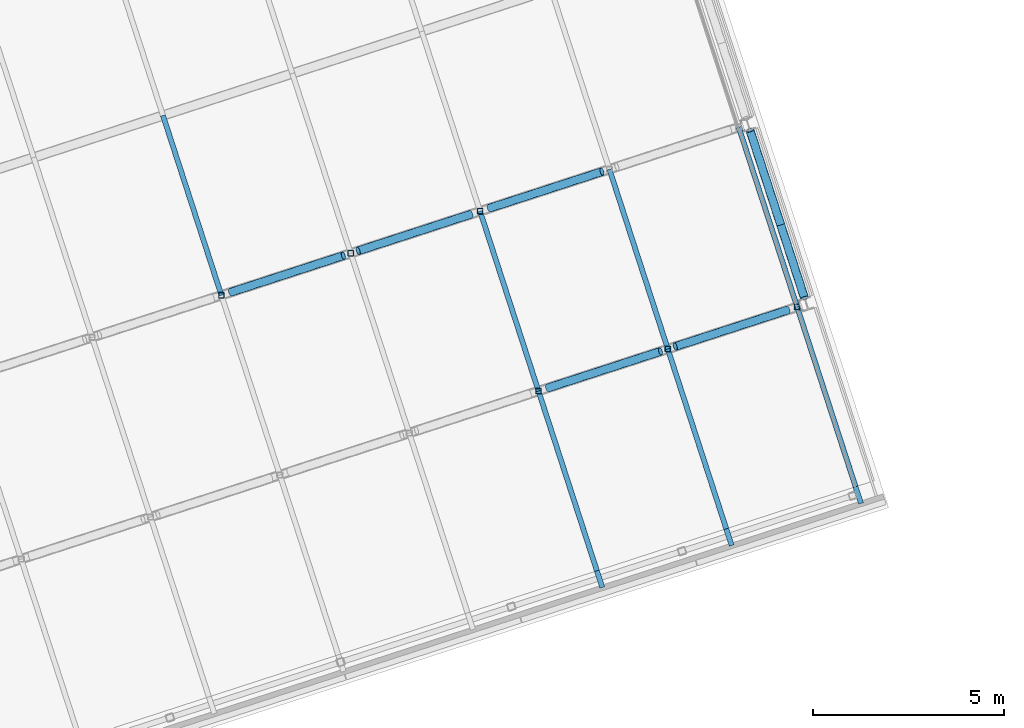
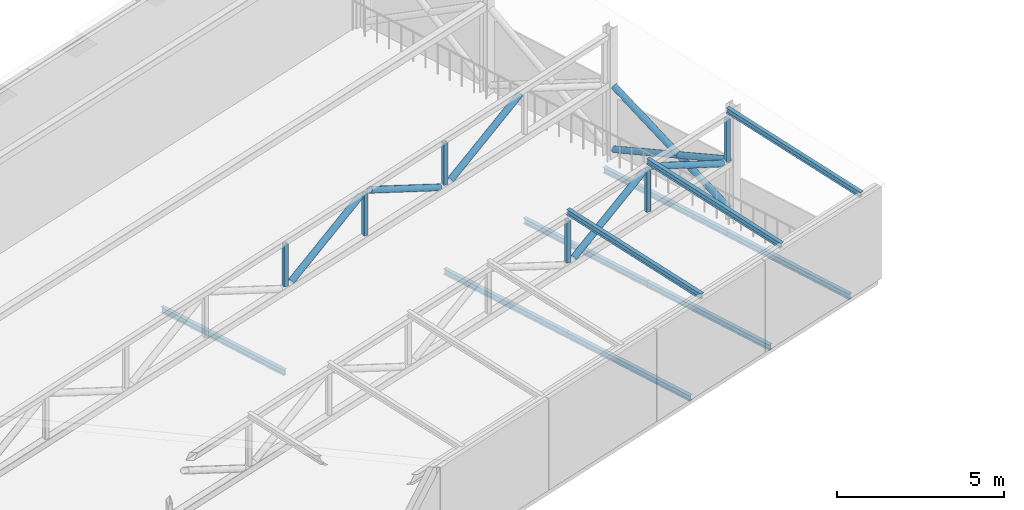
# One storey, part 9 of 49: 23 members.
"""IFC4 building model written with IfcOpenShell, lengths in metres."""

import ifcopenshell
import ifcopenshell.guid

model = None  # the IFC model being written
_history = None  # IfcOwnerHistory: only IFC2X3 demands one
_inside = {}  # id of a spatial element -> (the spatial element, [elements in it])
_under = {}  # id of a project, library or spatial element -> (it, [spatial elements below it])
_declared = {}  # id of a project -> (the project, [libraries it declares])
_typed = {}  # id of a type object -> (the type object, [elements of that type])
_made_of = {}  # id of a material, layer set ... -> (it, [elements and type objects made of it])


def new_model(schema):
    """Start an empty IFC model of exactly this schema.

    Asked for "IFC4X3", IfcOpenShell would pick the latest addendum, in which some entities
    have other attributes; the version numbers below select the first issue.
    IFC2X3 requires an IfcOwnerHistory on every rooted entity: one is made here for all.
    """
    global model, _history
    if schema == "IFC4X3":
        model = ifcopenshell.file(schema_version=(4, 3, 0, 0))
    else:
        model = ifcopenshell.file(schema=schema)
    _inside.clear()
    _under.clear()
    _declared.clear()
    _typed.clear()
    _made_of.clear()
    _history = None
    if model.schema == "IFC2X3":
        org = make("IfcOrganization", Name="unknown")
        user = make(
            "IfcPersonAndOrganization",
            ThePerson=make("IfcPerson", FamilyName="unknown"),
            TheOrganization=org,
        )
        app = make(
            "IfcApplication",
            ApplicationDeveloper=org,
            Version="unknown",
            ApplicationFullName="unknown",
            ApplicationIdentifier="unknown",
        )
        _history = make(
            "IfcOwnerHistory",
            OwningUser=user,
            OwningApplication=app,
            ChangeAction="ADDED",
            CreationDate=0,
        )
    return model


def make(cls, **values):
    """One entity of the class cls with the attributes given. An attribute that is None is left unset."""
    return model.create_entity(
        cls, **{name: value for name, value in values.items() if value is not None}
    )


def rooted(cls, **values):
    """An entity with a GlobalId (a new one), such as an element, a storey or a relation."""
    return make(cls, GlobalId=ifcopenshell.guid.new(), OwnerHistory=_history, **values)


def si_unit(unit_type, name, prefix=None):
    """IfcSIUnit, for example si_unit("LENGTHUNIT", "METRE", prefix="MILLI")."""
    return make("IfcSIUnit", UnitType=unit_type, Prefix=prefix, Name=name)


def assignment(units):
    """IfcUnitAssignment: the units of a project."""
    return None if units is None else make("IfcUnitAssignment", Units=units)


def point(xyz):
    """IfcCartesianPoint."""
    return None if xyz is None else make("IfcCartesianPoint", Coordinates=xyz)


def direction(xyz):
    """IfcDirection."""
    return None if xyz is None else make("IfcDirection", DirectionRatios=xyz)


def frame(location, z_axis=None, x_axis=None):
    """IfcAxis2Placement3D, a coordinate frame: its origin and axes. An axis left out is left unset."""
    return make(
        "IfcAxis2Placement3D",
        Location=point(location),
        Axis=direction(z_axis),
        RefDirection=direction(x_axis),
    )


def frame_2d(location, x_axis=None):
    """IfcAxis2Placement2D, a coordinate frame in the plane: its origin and x axis."""
    return make(
        "IfcAxis2Placement2D", Location=point(location), RefDirection=direction(x_axis)
    )


def origin():
    """The frame at (0, 0, 0) with its axes left unset."""
    return frame((0.0, 0.0, 0.0))


def origin_2d():
    """The frame at (0, 0) in the plane with its x axis left unset."""
    return frame_2d((0.0, 0.0))


def place(relative_to, where):
    """IfcLocalPlacement: puts the frame where relative to a parent placement (None: the world)."""
    return make(
        "IfcLocalPlacement", PlacementRelTo=relative_to, RelativePlacement=where
    )


def context(
    kind, dimensions, precision=None, world=None, true_north=None, identifier=None
):
    """IfcGeometricRepresentationContext, for example the 3D "Model" context."""
    return make(
        "IfcGeometricRepresentationContext",
        ContextIdentifier=identifier,
        ContextType=kind,
        CoordinateSpaceDimension=dimensions,
        Precision=precision,
        WorldCoordinateSystem=world,
        TrueNorth=true_north,
    )


def subcontext(parent, identifier, kind, view, scale=None):
    """IfcGeometricRepresentationSubContext, for example "Body" below "Model"."""
    return make(
        "IfcGeometricRepresentationSubContext",
        ContextIdentifier=identifier,
        ContextType=kind,
        ParentContext=parent,
        TargetScale=scale,
        TargetView=view,
    )


def project(units=None, contexts=None):
    """IfcProject with its units and contexts."""
    return rooted(
        "IfcProject",
        Name="project",
        RepresentationContexts=contexts,
        UnitsInContext=assignment(units),
    )


def spatial(cls, under=None, at=None, **own):
    """A site, building, storey or space (cls), placed at a placement, below another one or the project."""
    s = rooted(cls, ObjectPlacement=at, **own)
    if under is not None:
        _under.setdefault(under.id(), (under, []))[1].append(s)
    return s


def profile(cls, at=None, kind="AREA", **sizes):
    """A parametric profile (cls). Its sizes go by their IFC names, for example OverallWidth=200.0."""
    return make(cls, ProfileType=kind, Position=at, **sizes)


def hollow_rectangle(**sizes):
    """IfcRectangleHollowProfileDef."""
    return profile("IfcRectangleHollowProfileDef", **sizes)


def hollow_circle(**sizes):
    """IfcCircleHollowProfileDef."""
    return profile("IfcCircleHollowProfileDef", **sizes)


def i_section(**sizes):
    """IfcIShapeProfileDef."""
    return profile("IfcIShapeProfileDef", **sizes)


def extrude(swept, where, along, depth):
    """IfcExtrudedAreaSolid: the profile swept, set in the frame where, extruded along a direction by depth."""
    return make(
        "IfcExtrudedAreaSolid",
        SweptArea=swept,
        Position=where,
        ExtrudedDirection=direction(along),
        Depth=depth,
    )


def shape(context_of_items, identifier, shape_type, items):
    """IfcShapeRepresentation: the items that make up one representation, for example the "Body"."""
    return make(
        "IfcShapeRepresentation",
        ContextOfItems=context_of_items,
        RepresentationIdentifier=identifier,
        RepresentationType=shape_type,
        Items=items,
    )


def material(Name=None, Category=None):
    """IfcMaterial."""
    return make("IfcMaterial", Name=Name, Category=Category)


def material_profile(
    of_material, cross_section, Name=None, Category=None, Priority=None
):
    """IfcMaterialProfile: a cross section and its material."""
    return make(
        "IfcMaterialProfile",
        Name=Name,
        Material=of_material,
        Profile=cross_section,
        Priority=Priority,
        Category=Category,
    )


def profile_set(profiles, Name=None, composite=None):
    """IfcMaterialProfileSet."""
    return make(
        "IfcMaterialProfileSet",
        Name=Name,
        MaterialProfiles=profiles,
        CompositeProfile=composite,
    )


def made_of(thing, what):
    """Note that an element or type object is made of a material, layer set ...; save() writes the relation."""
    if what is not None:
        _made_of.setdefault(what.id(), (what, []))[1].append(thing)
    return thing


def type_object(cls, material=None, **own):
    """A type object (cls), such as IfcWallType, which elements share."""
    return made_of(rooted(cls, **own), material)


def element(
    cls,
    number,
    at=None,
    inside=None,
    cuts=None,
    type_object=None,
    material=None,
    context=None,
    identifier="Body",
    shape_type=None,
    held_by="IfcProductDefinitionShape",
    body=None,
    shapes=None,
    **own,
):
    """One element of the class cls, such as IfcWall. Its Tag is "e" and its number.

    at: its placement. inside: the storey or other place that contains it. cuts: it is an
    opening in that element (IfcRelVoidsElement). A single representation is given by context,
    identifier, shape_type and body (its items); several are given by shapes. held_by: the class
    of the entity that holds the representations. save() writes the other relations.
    """
    e = rooted(cls, Tag="e%d" % number, ObjectPlacement=at, **own)
    if body is not None:
        shapes = [shape(context, identifier, shape_type, body)]
    if shapes is not None:
        e.Representation = make(held_by, Representations=shapes)
    if inside is not None:
        _inside.setdefault(inside.id(), (inside, []))[1].append(e)
    if cuts is not None:
        rooted(
            "IfcRelVoidsElement", RelatingBuildingElement=cuts, RelatedOpeningElement=e
        )
    if type_object is not None:
        _typed.setdefault(type_object.id(), (type_object, []))[1].append(e)
    return made_of(e, material)


def aggregate(whole, parts):
    """IfcRelAggregates: a whole, such as a stair, and the parts it consists of."""
    return rooted("IfcRelAggregates", RelatingObject=whole, RelatedObjects=parts)


def save(model, path):
    """Write the relations noted so far, then the file.

    IfcRelAggregates (storeys below a building ...), IfcRelContainedInSpatialStructure (elements
    in a storey), IfcRelDefinesByType, IfcRelAssociatesMaterial and IfcRelDeclares: one each for
    every whole, place, type object, material and project.
    """
    for whole, parts in _under.values():
        aggregate(whole, parts)
    for where, things in _inside.values():
        rooted(
            "IfcRelContainedInSpatialStructure",
            RelatedElements=things,
            RelatingStructure=where,
        )
    for kind, things in _typed.values():
        rooted("IfcRelDefinesByType", RelatedObjects=things, RelatingType=kind)
    for what, things in _made_of.values():
        rooted("IfcRelAssociatesMaterial", RelatedObjects=things, RelatingMaterial=what)
    for by, libraries in _declared.values():
        rooted("IfcRelDeclares", RelatingContext=by, RelatedDefinitions=libraries)
    model.write(path)


model = new_model("IFC4")

# Units and contexts
model_context = context("Model", 3, precision=1e-05, world=origin(), true_north=direction((0.0, 1.0)))
body_context = subcontext(model_context, "Body", "Model", "MODEL_VIEW")
ifc_project = project(units=[si_unit("LENGTHUNIT", "METRE"), si_unit("AREAUNIT", "SQUARE_METRE"), si_unit("VOLUMEUNIT", "CUBIC_METRE"), si_unit("PLANEANGLEUNIT", "RADIAN"), si_unit("MASSUNIT", "GRAM", prefix="KILO")], contexts=[model_context])

# Site, building, storey
site_placement = place(None, origin())
site = spatial("IfcSite", under=ifc_project, at=site_placement, CompositionType="ELEMENT")
building_placement = place(site_placement, origin())
building = spatial("IfcBuilding", under=site, at=building_placement, Name="Tuart Plaza Theatre", CompositionType="ELEMENT")
storey_placement = place(building_placement, frame((0.0, 0.0, 29.5)))
storey = spatial("IfcBuildingStorey", under=building, at=storey_placement, Name="L07", CompositionType="ELEMENT", Elevation=29.5)

# Members
ifc_material_1 = material(Name="Steel Grade C350L0", Category="steel")
ifc_material_profile_1 = material_profile(ifc_material_1, hollow_circle(Radius=0.109619140625, WallThickness=0.00830078125, at=origin_2d()), Name="219.1x8.2 CHS")
ifc_profile_set_1 = profile_set([ifc_material_profile_1], Name="Steel Grade C350L0")
member_type_1 = type_object("IfcMemberType", Name="MEMBER Brace 219.1x8.2 CHS", PredefinedType="BRACE", material=ifc_profile_set_1)
for number, where, z_axis, x_axis, name in (
    (1, (60.56201171875, 80.287841796875, 2.300048828125), (0.853572626097, 0.277345791654, 0.441013700273), (-0.30902025289, 0.951055457533, 0.0), "BR69"),
    (2, (63.900390625, 81.37255859375, 3.824951171875), (0.853572626097, 0.277345791654, -0.441013700273), (-0.30902025289, 0.951055457533, 0.0), "BR70"),
):
    element("IfcMember", number, at=place(storey_placement, frame(where, z_axis=z_axis, x_axis=x_axis)), inside=storey, type_object=member_type_1, Name=name, PredefinedType="BRACE", context=body_context, shape_type="SweptSolid", body=[
        extrude(hollow_circle(Radius=0.109619140625, WallThickness=0.00830078125, at=origin_2d()), origin(), (0.0, 0.0, 1.0), 3.457763671875),
    ])
member_1_placement = place(storey_placement, frame((52.2587890625, 82.794677734375, 2.8203125), z_axis=(0.853553460549, 0.277362507697, 0.441040280823), x_axis=(-0.309043375616, 0.951047944106, 0.0)))
element("IfcMember", 3, at=member_1_placement, inside=storey, type_object=member_type_1, Name="BR75", PredefinedType="BRACE", context=body_context, shape_type="SweptSolid", body=[
    extrude(hollow_circle(Radius=0.109619140625, WallThickness=0.00830078125, at=origin_2d()), origin(), (0.0, 0.0, 1.0), 3.45751953125),
])
member_2_placement = place(storey_placement, frame((55.59716796875, 83.87939453125, 4.34521484375), z_axis=(0.853572626097, 0.277345791654, -0.441013700273), x_axis=(-0.30902025289, 0.951055457533, 0.0)))
element("IfcMember", 4, at=member_2_placement, inside=storey, type_object=member_type_1, Name="BR76", PredefinedType="BRACE", context=body_context, shape_type="SweptSolid", body=[
    extrude(hollow_circle(Radius=0.109619140625, WallThickness=0.00830078125, at=origin_2d()), origin(), (0.0, 0.0, 1.0), 3.457763671875),
])
member_3_placement = place(storey_placement, frame((59.032470703125, 84.99560546875, 2.8203125), z_axis=(0.853570175774, 0.277297326296, 0.44104891776), x_axis=(-0.308972210261, 0.95107106637, 0.0)))
element("IfcMember", 5, at=member_3_placement, inside=storey, type_object=member_type_1, Name="BR77", PredefinedType="BRACE", context=body_context, shape_type="SweptSolid", body=[
    extrude(hollow_circle(Radius=0.109619140625, WallThickness=0.00830078125, at=origin_2d()), origin(), (0.0, 0.0, 1.0), 3.45751953125),
])
member_4_placement = place(storey_placement, frame((67.2861328125, 82.64453125, 0.330810546875), z_axis=(-0.277035612822, 0.852697718562, 0.442897132513), x_axis=(-0.951063947435, -0.308994122741, 0.0)))
element("IfcMember", 6, at=member_4_placement, inside=storey, type_object=member_type_1, Name="BR101", PredefinedType="BRACE", context=body_context, shape_type="SweptSolid", body=[
    extrude(hollow_circle(Radius=0.109619140625, WallThickness=0.00830078125, at=origin_2d()), origin(), (0.0, 0.0, 1.0), 5.15625),
])
member_5_placement = place(storey_placement, frame((67.2861328125, 82.64453125, 2.111328125), z_axis=(-0.287983237115, 0.886393798873, -0.362452325776), x_axis=(-0.951063947435, -0.308994122741, 0.0)))
element("IfcMember", 7, at=member_5_placement, inside=storey, type_object=member_type_1, Name="BR102", PredefinedType="BRACE", context=body_context, shape_type="SweptSolid", body=[
    extrude(hollow_circle(Radius=0.109619140625, WallThickness=0.00830078125, at=origin_2d()), origin(), (0.0, 0.0, 1.0), 4.960205078125),
])
ifc_material_2 = material(Name="Steel Grade C350L0", Category="steel")
ifc_material_profile_2 = material_profile(ifc_material_2, hollow_rectangle(XDim=0.14990234375, YDim=0.14990234375, WallThickness=0.009033203125, InnerFilletRadius=0.009033203125, OuterFilletRadius=0.01806640625, at=origin_2d()), Name="150x150x9 SHS")
ifc_profile_set_2 = profile_set([ifc_material_profile_2], Name="Steel Grade C350L0")
member_type_2 = type_object("IfcMemberType", Name="MEMBER Post 150x150x9 SHS", PredefinedType="POST", material=ifc_profile_set_2)
for number, where, z_axis, x_axis, name in (
    (8, (60.320068359375, 80.209228515625, 2.300048828125), (0.0, 0.0, 1.0), (1.0, 0.0, 0.0), "PO78"),
    (9, (63.706787109375, 81.3095703125, 2.300048828125), (0.0, 0.0, 1.0), (1.0, 0.0, 0.0), "PO79"),
    (10, (67.09375, 82.41015625, 2.300048828125), (0.0, 0.0, 1.0), (1.0, 0.0, 0.0), "PO80"),
    (11, (52.016845703125, 82.716064453125, 2.8203125), (0.0, 0.0, 1.0), (1.0, 0.0, 0.0), "PO85"),
    (12, (55.403564453125, 83.81640625, 2.8203125), (0.0, 0.0, 1.0), (1.0, 0.0, 0.0), "PO86"),
    (13, (58.79052734375, 84.9169921875, 2.8203125), (0.0, 0.0, 1.0), (1.0, 0.0, 0.0), "PO87"),
):
    element("IfcMember", number, at=place(storey_placement, frame(where, z_axis=z_axis, x_axis=x_axis)), inside=storey, type_object=member_type_2, Name=name, PredefinedType="POST", context=body_context, shape_type="SweptSolid", body=[
        extrude(hollow_rectangle(XDim=0.14990234375, YDim=0.14990234375, WallThickness=0.009033203125, InnerFilletRadius=0.009033203125, OuterFilletRadius=0.01806640625, at=origin_2d()), origin(), (0.0, 0.0, 1.0), 1.52490234375),
    ])
ifc_material_3 = material(Name="Steel Grade 300", Category="steel")
ifc_material_profile_3 = material_profile(ifc_material_3, i_section(OverallWidth=0.133056640625, OverallDepth=0.202880859375, WebThickness=0.005859375, FlangeThickness=0.0078125, FilletRadius=0.0087890625, at=origin_2d()), Name="200UB25.4")
ifc_profile_set_3 = profile_set([ifc_material_profile_3], Name="Steel Grade 300")
member_type_3 = type_object("IfcMemberType", Name="MEMBER Purlin 200UB25.4", PredefinedType="PURLIN", material=ifc_profile_set_3)
member_6_placement = place(storey_placement, frame((52.016845703125, 82.716064453125, -0.3515625), z_axis=(-0.309042578481, 0.951048203135, 0.0), x_axis=(-0.951048203135, -0.309042578481, 0.0)))
element("IfcMember", 14, at=member_6_placement, inside=storey, type_object=member_type_3, Name="PU61", PredefinedType="PURLIN", context=body_context, shape_type="SweptSolid", body=[
    extrude(i_section(OverallWidth=0.133056640625, OverallDepth=0.202880859375, WebThickness=0.005859375, FlangeThickness=0.0078125, FilletRadius=0.0087890625, at=origin_2d()), origin(), (0.0, 0.0, 1.0), 4.9501953125),
])
for number, where, z_axis, x_axis, name in (
    (15, (61.849609375, 75.50146484375, -0.3515625), (-0.308997967382, 0.951062698329, 0.0), (-0.951062698329, -0.308997967382, 0.0), "PU67"),
    (16, (60.320068359375, 80.209228515625, -0.3515625), (-0.308997967382, 0.951062698329, 0.0), (-0.951062698329, -0.308997967382, 0.0), "PU68"),
):
    element("IfcMember", number, at=place(storey_placement, frame(where, z_axis=z_axis, x_axis=x_axis)), inside=storey, type_object=member_type_3, Name=name, PredefinedType="PURLIN", context=body_context, shape_type="SweptSolid", body=[
        extrude(i_section(OverallWidth=0.133056640625, OverallDepth=0.202880859375, WebThickness=0.005859375, FlangeThickness=0.0078125, FilletRadius=0.0087890625, at=origin_2d()), origin(), (0.0, 0.0, 1.0), 4.949951171875),
    ])
member_7_placement = place(storey_placement, frame((65.236572265625, 76.601806640625, -0.3515625), z_axis=(-0.309042578481, 0.951048203135, 0.0), x_axis=(-0.951048203135, -0.309042578481, 0.0)))
element("IfcMember", 17, at=member_7_placement, inside=storey, type_object=member_type_3, Name="PU71", PredefinedType="PURLIN", context=body_context, shape_type="SweptSolid", body=[
    extrude(i_section(OverallWidth=0.133056640625, OverallDepth=0.202880859375, WebThickness=0.005859375, FlangeThickness=0.0078125, FilletRadius=0.0087890625, at=origin_2d()), origin(), (0.0, 0.0, 1.0), 4.9501953125),
])
for number, where, z_axis, x_axis, name in (
    (18, (63.706787109375, 81.3095703125, -0.3515625), (-0.308997967382, 0.951062698329, 0.0), (-0.951062698329, -0.308997967382, 0.0), "PU72"),
    (19, (68.623291015625, 77.702392578125, -0.3515625), (-0.308997967382, 0.951062698329, 0.0), (-0.951062698329, -0.308997967382, 0.0), "PU75"),
):
    element("IfcMember", number, at=place(storey_placement, frame(where, z_axis=z_axis, x_axis=x_axis)), inside=storey, type_object=member_type_3, Name=name, PredefinedType="PURLIN", context=body_context, shape_type="SweptSolid", body=[
        extrude(i_section(OverallWidth=0.133056640625, OverallDepth=0.202880859375, WebThickness=0.005859375, FlangeThickness=0.0078125, FilletRadius=0.0087890625, at=origin_2d()), origin(), (0.0, 0.0, 1.0), 4.949951171875),
    ])
member_8_placement = place(storey_placement, frame((67.09375, 82.41015625, -0.3515625), z_axis=(-0.309012462396, 0.951057988813, 0.0), x_axis=(-0.951057988813, -0.309012462396, 0.0)))
element("IfcMember", 20, at=member_8_placement, inside=storey, type_object=member_type_3, Name="PU76", PredefinedType="PURLIN", context=body_context, shape_type="SweptSolid", body=[
    extrude(i_section(OverallWidth=0.133056640625, OverallDepth=0.202880859375, WebThickness=0.005859375, FlangeThickness=0.0078125, FilletRadius=0.0087890625, at=origin_2d()), origin(), (0.0, 0.0, 1.0), 4.94970703125),
])
for number, where, z_axis, x_axis, name in (
    (21, (61.98876953125, 75.073486328125, 3.570068359375), (-0.307324819352, 0.945850021931, 0.10449493492), (-0.951056658866, -0.309016555588, 0.0), "PU103"),
    (22, (65.37548828125, 76.173828125, 3.570068359375), (-0.307324819352, 0.945850021931, 0.10449493492), (-0.951056658866, -0.309016555588, 0.0), "PU107"),
    (23, (68.762451171875, 77.2744140625, 3.570068359375), (-0.307324819352, 0.945850021931, 0.10449493492), (-0.951056658866, -0.309016555588, 0.0), "PU111"),
):
    element("IfcMember", number, at=place(storey_placement, frame(where, z_axis=z_axis, x_axis=x_axis)), inside=storey, type_object=member_type_3, Name=name, PredefinedType="PURLIN", context=body_context, shape_type="SweptSolid", body=[
        extrude(i_section(OverallWidth=0.133056640625, OverallDepth=0.202880859375, WebThickness=0.005859375, FlangeThickness=0.0078125, FilletRadius=0.0087890625, at=origin_2d()), origin(), (0.0, 0.0, 1.0), 5.4296875),
    ])

save(model, "model.ifc")
